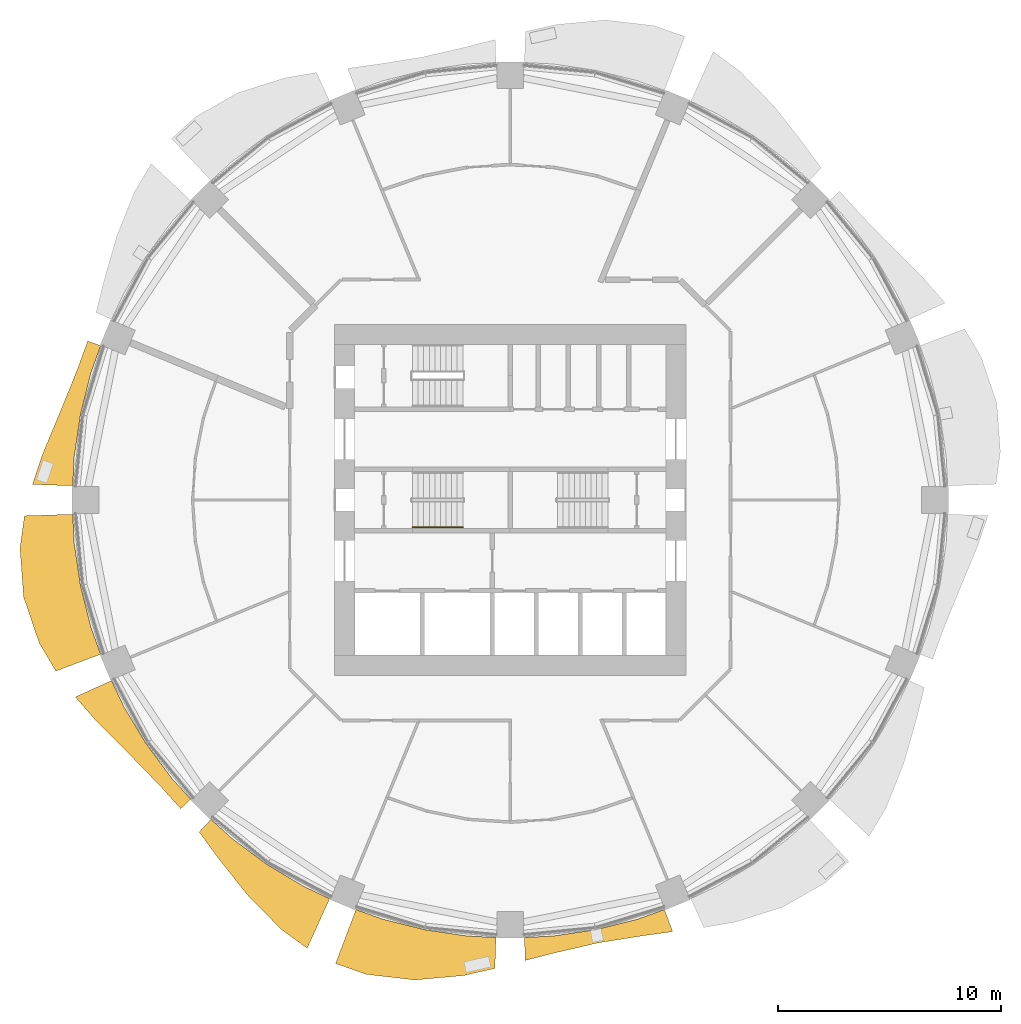
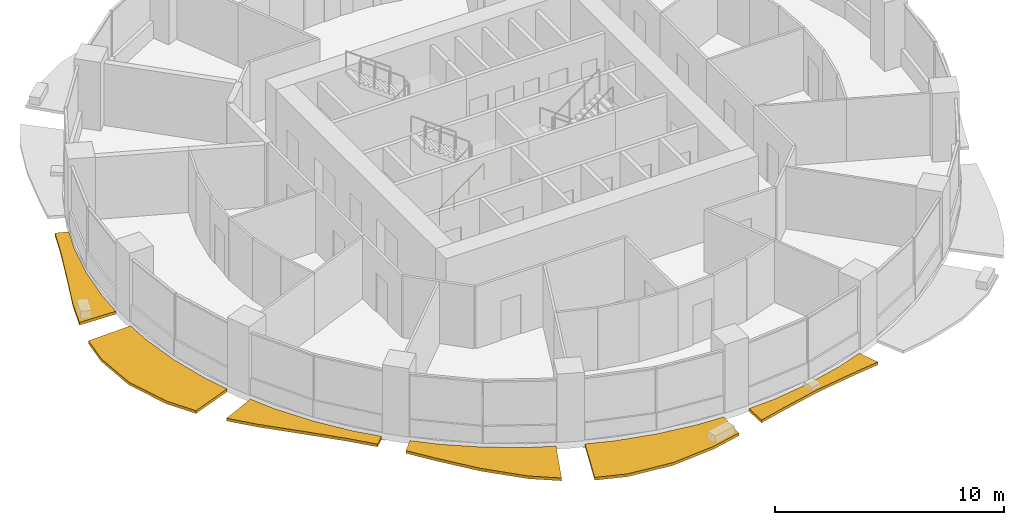
# One storey, part 12 of 15: 6 shading devices, 1 railing.
"""IFC4 building model written with IfcOpenShell, lengths in metres."""

from ifc_helpers import new_model, si_unit, direction, frame, origin, origin_2d, place, context, subcontext, project, spatial, polyline, circle, outline, extrude, material, type_object, element, save


model = new_model("IFC4")

# Units and contexts
model_context = context("Model", 3, precision=1e-05, world=origin(), true_north=direction((0.0, 1.0)))
body_context = subcontext(model_context, "Body", "Model", "MODEL_VIEW")
ifc_project = project(units=[si_unit("LENGTHUNIT", "METRE"), si_unit("AREAUNIT", "SQUARE_METRE"), si_unit("VOLUMEUNIT", "CUBIC_METRE"), si_unit("PLANEANGLEUNIT", "RADIAN"), si_unit("MASSUNIT", "GRAM", prefix="KILO")], contexts=[model_context])

# Site, building, storey
site_placement = place(None, origin())
site = spatial("IfcSite", under=ifc_project, at=site_placement, CompositionType="ELEMENT")
building_placement = place(site_placement, origin())
building = spatial("IfcBuilding", under=site, at=building_placement, Name="Polderwave Tower", CompositionType="ELEMENT")
storey_placement = place(building_placement, frame((0.0, 0.0, 51.75)))
storey = spatial("IfcBuildingStorey", under=building, at=storey_placement, Name="L13", CompositionType="ELEMENT", Elevation=51.75)

# Railing
ifc_material_1 = material(Name="Stainless steel", Category="steel")
railing_type = type_object("IfcRailingType", Name="Stair handrail 900", PredefinedType="HANDRAIL", material=ifc_material_1)
railing_placement = place(storey_placement, frame((-4.3740234375, -1.22509765625, 0.1826171875)))
element("IfcRailing", 1, at=railing_placement, inside=storey, type_object=railing_type, Name="L13 ST-A stair handrail 1", PredefinedType="HANDRAIL", context=body_context, shape_type="SweptSolid", body=[
    extrude(circle(Radius=0.02392578125, at=origin_2d()), frame((0.0, 0.0, 0.8759765625), z_axis=(0.807715371301, 0.0, 0.589572623995), x_axis=(0.0, 1.0, 0.0)), (0.0, 0.0, 1.0), 2.78564453125),
    extrude(circle(Radius=0.02099609375, at=origin_2d()), origin(), (0.0, 0.0, 1.0), 0.851806640625),
    extrude(circle(Radius=0.02099609375, at=origin_2d()), frame((0.75, 0.0, 0.54736328125)), (0.0, 0.0, 1.0), 0.851806640625),
    extrude(circle(Radius=0.02099609375, at=origin_2d()), frame((1.5, 0.0, 1.094970703125)), (0.0, 0.0, 1.0), 0.851806640625),
    extrude(circle(Radius=0.02099609375, at=origin_2d()), frame((2.25, 0.0, 1.642333984375)), (0.0, 0.0, 1.0), 0.851806640625),
])

# Shading devices
ifc_material_2 = material(Name="Terracotta", Category="masonry")
shading_device_type = type_object("IfcShadingDeviceType", Name="Terracotta sunshade band", PredefinedType="USERDEFINED", material=ifc_material_2)
shading_device_1_placement = place(storey_placement, frame((0.0, 0.0, -0.35009765625)))
element("IfcShadingDevice", 2, at=shading_device_1_placement, inside=storey, type_object=shading_device_type, Name="Sunshade band L13 8", ObjectType="SUNSHADE", PredefinedType="USERDEFINED", context=body_context, shape_type="SweptSolid", body=[
    extrude(outline(polyline([(-18.35107421875, 6.91064453125), (-18.78466796875, 5.6982421875), (-19.252685546875, 3.82958984375), (-19.535400390625, 1.924072265625), (-19.5986328125, 0.637939453125), (-21.40771484375, 0.697021484375), (-20.947265625, 2.06298828125), (-20.13818359375, 4.005859375), (-19.3798828125, 5.87890625), (-18.92822265625, 7.1279296875), (-18.35107421875, 6.91064453125)])), origin(), (0.0, 0.0, 1.0), 0.150146484375),
])
shading_device_2_placement = place(storey_placement, frame((0.0, 0.0, -0.35009765625)))
element("IfcShadingDevice", 3, at=shading_device_2_placement, inside=storey, type_object=shading_device_type, Name="Sunshade band L13 9", ObjectType="SUNSHADE", PredefinedType="USERDEFINED", context=body_context, shape_type="SweptSolid", body=[
    extrude(outline(polyline([(-19.5986328125, -0.637939453125), (-19.535400390625, -1.924072265625), (-19.252685546875, -3.82958984375), (-18.78466796875, -5.6982421875), (-18.35107421875, -6.91064453125), (-20.3564453125, -7.665771484375), (-21.10400390625, -6.40185546875), (-21.802734375, -4.3369140625), (-21.962890625, -2.1630859375), (-21.763916015625, -0.70849609375), (-19.5986328125, -0.637939453125)])), origin(), (0.0, 0.0, 1.0), 0.150146484375),
])
shading_device_3_placement = place(storey_placement, frame((0.0, 0.0, -0.35009765625)))
element("IfcShadingDevice", 4, at=shading_device_3_placement, inside=storey, type_object=shading_device_type, Name="Sunshade band L13 10", ObjectType="SUNSHADE", PredefinedType="USERDEFINED", context=body_context, shape_type="SweptSolid", body=[
    extrude(outline(polyline([(-17.862548828125, -8.089599609375), (-17.31201171875, -9.25341796875), (-16.32177734375, -10.90576171875), (-15.17431640625, -12.453125), (-14.3095703125, -13.4072265625), (-14.763671875, -13.83251953125), (-15.65087890625, -12.84423828125), (-17.055908203125, -11.396484375), (-18.5390625, -9.9091796875), (-19.486328125, -8.824951171875), (-17.862548828125, -8.089599609375)])), origin(), (0.0, 0.0, 1.0), 0.150146484375),
])
shading_device_4_placement = place(storey_placement, frame((0.0, 0.0, -0.35009765625)))
element("IfcShadingDevice", 5, at=shading_device_4_placement, inside=storey, type_object=shading_device_type, Name="Sunshade band L13 11", ObjectType="SUNSHADE", PredefinedType="USERDEFINED", context=body_context, shape_type="SweptSolid", body=[
    extrude(outline(polyline([(-13.4072265625, -14.3095703125), (-12.453125, -15.17431640625), (-10.90576171875, -16.32177734375), (-9.25341796875, -17.31201171875), (-8.089599609375, -17.862548828125), (-9.09619140625, -20.085205078125), (-10.275146484375, -19.223388671875), (-11.802490234375, -17.663818359375), (-13.123046875, -15.990478515625), (-13.9375, -14.87548828125), (-13.4072265625, -14.3095703125)])), origin(), (0.0, 0.0, 1.0), 0.150146484375),
])
shading_device_5_placement = place(storey_placement, frame((0.0, 0.0, -0.35009765625)))
element("IfcShadingDevice", 6, at=shading_device_5_placement, inside=storey, type_object=shading_device_type, Name="Sunshade band L13 12", ObjectType="SUNSHADE", PredefinedType="USERDEFINED", context=body_context, shape_type="SweptSolid", body=[
    extrude(outline(polyline([(-6.91064453125, -18.35107421875), (-5.6982421875, -18.78466796875), (-3.82958984375, -19.252685546875), (-1.924072265625, -19.535400390625), (-0.637939453125, -19.5986328125), (-0.683349609375, -20.988037109375), (-2.0986328125, -21.30810546875), (-4.27783203125, -21.505859375), (-6.446533203125, -21.251708984375), (-7.821044921875, -20.7685546875), (-6.91064453125, -18.35107421875)])), origin(), (0.0, 0.0, 1.0), 0.150146484375),
])
shading_device_6_placement = place(storey_placement, frame((0.0, 0.0, -0.35009765625)))
element("IfcShadingDevice", 7, at=shading_device_6_placement, inside=storey, type_object=shading_device_type, Name="Sunshade band L13 13", ObjectType="SUNSHADE", PredefinedType="USERDEFINED", context=body_context, shape_type="SweptSolid", body=[
    extrude(outline(polyline([(0.637939453125, -19.5986328125), (1.924072265625, -19.535400390625), (3.82958984375, -19.252685546875), (5.6982421875, -18.78466796875), (6.91064453125, -18.35107421875), (7.283203125, -19.340087890625), (5.923583984375, -19.527587890625), (3.94677734375, -19.84130859375), (1.998779296875, -20.29248046875), (0.671630859375, -20.6318359375), (0.637939453125, -19.5986328125)])), origin(), (0.0, 0.0, 1.0), 0.150146484375),
])

save(model, "model.ifc")
